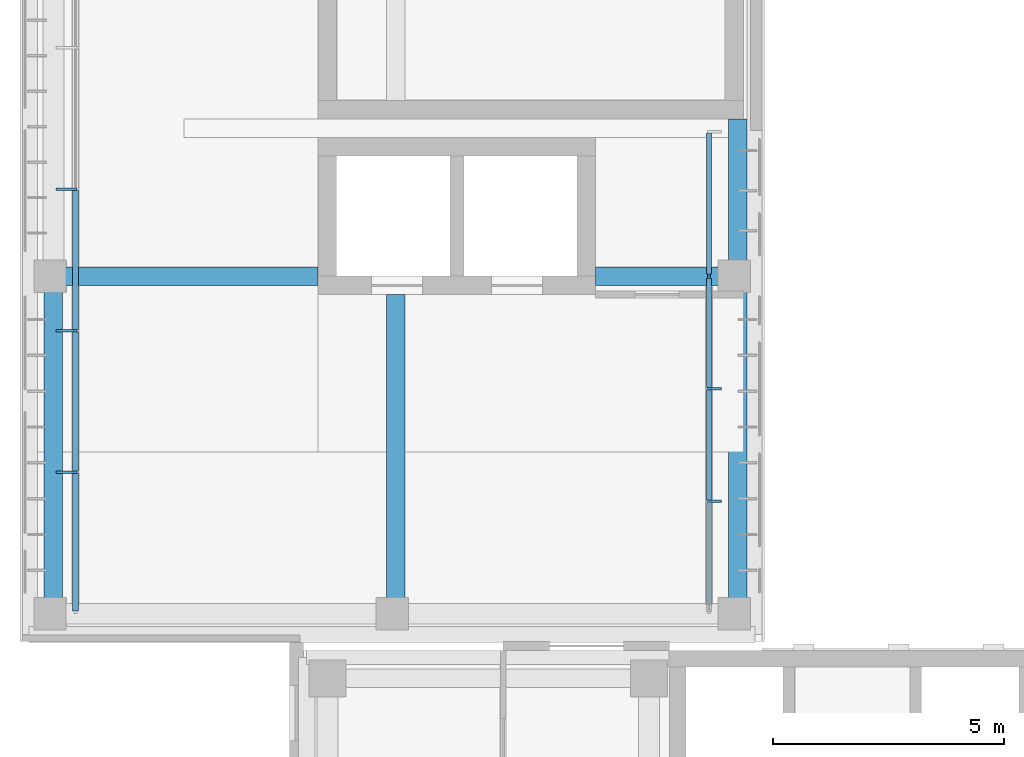
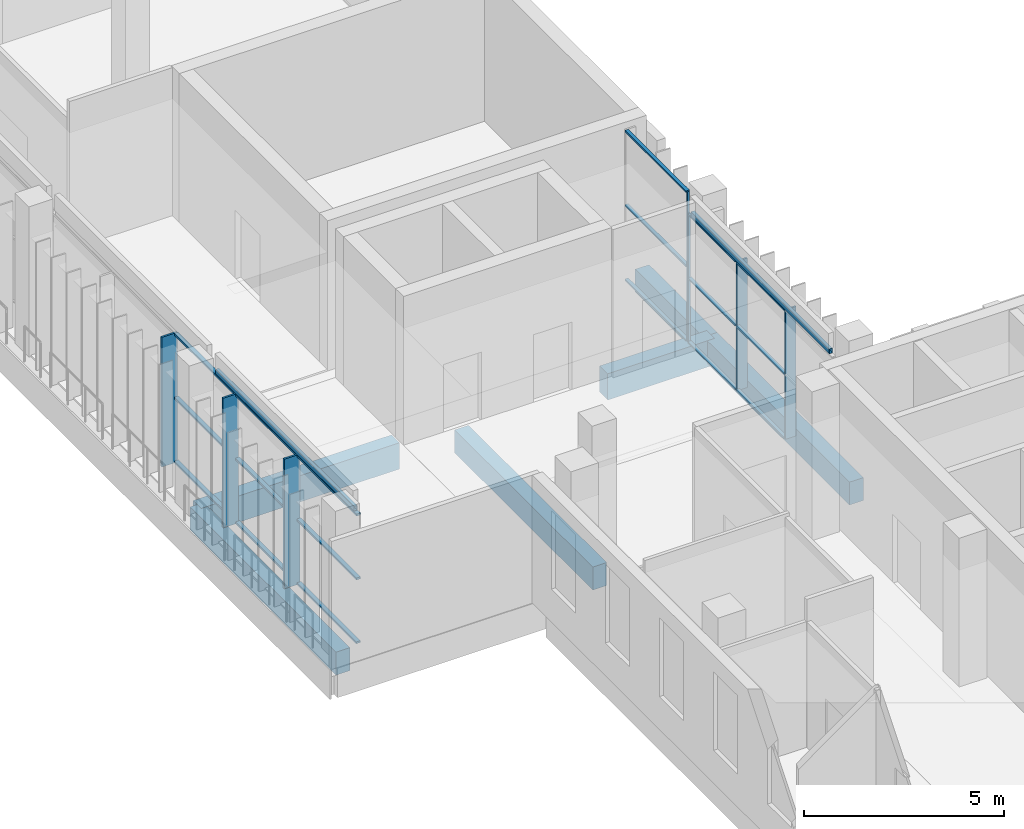
# One storey, part 4 of 46: 25 members, 8 beams, 3 elements without a shape of their own.
"""IFC4 building model written with IfcOpenShell, lengths in metres."""

import ifcopenshell
import ifcopenshell.guid

model = None  # the IFC model being written
_history = None  # IfcOwnerHistory: only IFC2X3 demands one
_inside = {}  # id of a spatial element -> (the spatial element, [elements in it])
_under = {}  # id of a project, library or spatial element -> (it, [spatial elements below it])
_declared = {}  # id of a project -> (the project, [libraries it declares])
_typed = {}  # id of a type object -> (the type object, [elements of that type])
_made_of = {}  # id of a material, layer set ... -> (it, [elements and type objects made of it])


def new_model(schema):
    """Start an empty IFC model of exactly this schema.

    Asked for "IFC4X3", IfcOpenShell would pick the latest addendum, in which some entities
    have other attributes; the version numbers below select the first issue.
    IFC2X3 requires an IfcOwnerHistory on every rooted entity: one is made here for all.
    """
    global model, _history
    if schema == "IFC4X3":
        model = ifcopenshell.file(schema_version=(4, 3, 0, 0))
    else:
        model = ifcopenshell.file(schema=schema)
    _inside.clear()
    _under.clear()
    _declared.clear()
    _typed.clear()
    _made_of.clear()
    _history = None
    if model.schema == "IFC2X3":
        org = make("IfcOrganization", Name="unknown")
        user = make(
            "IfcPersonAndOrganization",
            ThePerson=make("IfcPerson", FamilyName="unknown"),
            TheOrganization=org,
        )
        app = make(
            "IfcApplication",
            ApplicationDeveloper=org,
            Version="unknown",
            ApplicationFullName="unknown",
            ApplicationIdentifier="unknown",
        )
        _history = make(
            "IfcOwnerHistory",
            OwningUser=user,
            OwningApplication=app,
            ChangeAction="ADDED",
            CreationDate=0,
        )
    return model


def make(cls, **values):
    """One entity of the class cls with the attributes given. An attribute that is None is left unset."""
    return model.create_entity(
        cls, **{name: value for name, value in values.items() if value is not None}
    )


def rooted(cls, **values):
    """An entity with a GlobalId (a new one), such as an element, a storey or a relation."""
    return make(cls, GlobalId=ifcopenshell.guid.new(), OwnerHistory=_history, **values)


def si_unit(unit_type, name, prefix=None):
    """IfcSIUnit, for example si_unit("LENGTHUNIT", "METRE", prefix="MILLI")."""
    return make("IfcSIUnit", UnitType=unit_type, Prefix=prefix, Name=name)


def assignment(units):
    """IfcUnitAssignment: the units of a project."""
    return None if units is None else make("IfcUnitAssignment", Units=units)


def point(xyz):
    """IfcCartesianPoint."""
    return None if xyz is None else make("IfcCartesianPoint", Coordinates=xyz)


def direction(xyz):
    """IfcDirection."""
    return None if xyz is None else make("IfcDirection", DirectionRatios=xyz)


def frame(location, z_axis=None, x_axis=None):
    """IfcAxis2Placement3D, a coordinate frame: its origin and axes. An axis left out is left unset."""
    return make(
        "IfcAxis2Placement3D",
        Location=point(location),
        Axis=direction(z_axis),
        RefDirection=direction(x_axis),
    )


def frame_2d(location, x_axis=None):
    """IfcAxis2Placement2D, a coordinate frame in the plane: its origin and x axis."""
    return make(
        "IfcAxis2Placement2D", Location=point(location), RefDirection=direction(x_axis)
    )


def origin():
    """The frame at (0, 0, 0) with its axes left unset."""
    return frame((0.0, 0.0, 0.0))


def origin_2d():
    """The frame at (0, 0) in the plane with its x axis left unset."""
    return frame_2d((0.0, 0.0))


def place(relative_to, where):
    """IfcLocalPlacement: puts the frame where relative to a parent placement (None: the world)."""
    return make(
        "IfcLocalPlacement", PlacementRelTo=relative_to, RelativePlacement=where
    )


def context(
    kind, dimensions, precision=None, world=None, true_north=None, identifier=None
):
    """IfcGeometricRepresentationContext, for example the 3D "Model" context."""
    return make(
        "IfcGeometricRepresentationContext",
        ContextIdentifier=identifier,
        ContextType=kind,
        CoordinateSpaceDimension=dimensions,
        Precision=precision,
        WorldCoordinateSystem=world,
        TrueNorth=true_north,
    )


def subcontext(parent, identifier, kind, view, scale=None):
    """IfcGeometricRepresentationSubContext, for example "Body" below "Model"."""
    return make(
        "IfcGeometricRepresentationSubContext",
        ContextIdentifier=identifier,
        ContextType=kind,
        ParentContext=parent,
        TargetScale=scale,
        TargetView=view,
    )


def project(units=None, contexts=None):
    """IfcProject with its units and contexts."""
    return rooted(
        "IfcProject",
        Name="project",
        RepresentationContexts=contexts,
        UnitsInContext=assignment(units),
    )


def spatial(cls, under=None, at=None, **own):
    """A site, building, storey or space (cls), placed at a placement, below another one or the project."""
    s = rooted(cls, ObjectPlacement=at, **own)
    if under is not None:
        _under.setdefault(under.id(), (under, []))[1].append(s)
    return s


def profile(cls, at=None, kind="AREA", **sizes):
    """A parametric profile (cls). Its sizes go by their IFC names, for example OverallWidth=200.0."""
    return make(cls, ProfileType=kind, Position=at, **sizes)


def rectangle(**sizes):
    """IfcRectangleProfileDef."""
    return profile("IfcRectangleProfileDef", **sizes)


def hollow_rectangle(**sizes):
    """IfcRectangleHollowProfileDef."""
    return profile("IfcRectangleHollowProfileDef", **sizes)


def extrude(swept, where, along, depth):
    """IfcExtrudedAreaSolid: the profile swept, set in the frame where, extruded along a direction by depth."""
    return make(
        "IfcExtrudedAreaSolid",
        SweptArea=swept,
        Position=where,
        ExtrudedDirection=direction(along),
        Depth=depth,
    )


def shape(context_of_items, identifier, shape_type, items):
    """IfcShapeRepresentation: the items that make up one representation, for example the "Body"."""
    return make(
        "IfcShapeRepresentation",
        ContextOfItems=context_of_items,
        RepresentationIdentifier=identifier,
        RepresentationType=shape_type,
        Items=items,
    )


def material(Name=None, Category=None):
    """IfcMaterial."""
    return make("IfcMaterial", Name=Name, Category=Category)


def material_profile(
    of_material, cross_section, Name=None, Category=None, Priority=None
):
    """IfcMaterialProfile: a cross section and its material."""
    return make(
        "IfcMaterialProfile",
        Name=Name,
        Material=of_material,
        Profile=cross_section,
        Priority=Priority,
        Category=Category,
    )


def profile_set(profiles, Name=None, composite=None):
    """IfcMaterialProfileSet."""
    return make(
        "IfcMaterialProfileSet",
        Name=Name,
        MaterialProfiles=profiles,
        CompositeProfile=composite,
    )


def made_of(thing, what):
    """Note that an element or type object is made of a material, layer set ...; save() writes the relation."""
    if what is not None:
        _made_of.setdefault(what.id(), (what, []))[1].append(thing)
    return thing


def type_object(cls, material=None, **own):
    """A type object (cls), such as IfcWallType, which elements share."""
    return made_of(rooted(cls, **own), material)


def element(
    cls,
    number,
    at=None,
    inside=None,
    cuts=None,
    type_object=None,
    material=None,
    context=None,
    identifier="Body",
    shape_type=None,
    held_by="IfcProductDefinitionShape",
    body=None,
    shapes=None,
    **own,
):
    """One element of the class cls, such as IfcWall. Its Tag is "e" and its number.

    at: its placement. inside: the storey or other place that contains it. cuts: it is an
    opening in that element (IfcRelVoidsElement). A single representation is given by context,
    identifier, shape_type and body (its items); several are given by shapes. held_by: the class
    of the entity that holds the representations. save() writes the other relations.
    """
    e = rooted(cls, Tag="e%d" % number, ObjectPlacement=at, **own)
    if body is not None:
        shapes = [shape(context, identifier, shape_type, body)]
    if shapes is not None:
        e.Representation = make(held_by, Representations=shapes)
    if inside is not None:
        _inside.setdefault(inside.id(), (inside, []))[1].append(e)
    if cuts is not None:
        rooted(
            "IfcRelVoidsElement", RelatingBuildingElement=cuts, RelatedOpeningElement=e
        )
    if type_object is not None:
        _typed.setdefault(type_object.id(), (type_object, []))[1].append(e)
    return made_of(e, material)


def aggregate(whole, parts):
    """IfcRelAggregates: a whole, such as a stair, and the parts it consists of."""
    return rooted("IfcRelAggregates", RelatingObject=whole, RelatedObjects=parts)


def save(model, path):
    """Write the relations noted so far, then the file.

    IfcRelAggregates (storeys below a building ...), IfcRelContainedInSpatialStructure (elements
    in a storey), IfcRelDefinesByType, IfcRelAssociatesMaterial and IfcRelDeclares: one each for
    every whole, place, type object, material and project.
    """
    for whole, parts in _under.values():
        aggregate(whole, parts)
    for where, things in _inside.values():
        rooted(
            "IfcRelContainedInSpatialStructure",
            RelatedElements=things,
            RelatingStructure=where,
        )
    for kind, things in _typed.values():
        rooted("IfcRelDefinesByType", RelatedObjects=things, RelatingType=kind)
    for what, things in _made_of.values():
        rooted("IfcRelAssociatesMaterial", RelatedObjects=things, RelatingMaterial=what)
    for by, libraries in _declared.values():
        rooted("IfcRelDeclares", RelatingContext=by, RelatedDefinitions=libraries)
    model.write(path)


model = new_model("IFC4")

# Units and contexts
model_context = context("Model", 3, precision=1e-05, world=origin(), true_north=direction((0.0, 1.0)))
body_context = subcontext(model_context, "Body", "Model", "MODEL_VIEW")
ifc_project = project(units=[si_unit("LENGTHUNIT", "METRE"), si_unit("AREAUNIT", "SQUARE_METRE"), si_unit("VOLUMEUNIT", "CUBIC_METRE"), si_unit("PLANEANGLEUNIT", "RADIAN"), si_unit("MASSUNIT", "GRAM", prefix="KILO")], contexts=[model_context])

# Site, building, storey
site_placement = place(None, origin())
site = spatial("IfcSite", under=ifc_project, at=site_placement, CompositionType="ELEMENT")
building_placement = place(site_placement, origin())
building = spatial("IfcBuilding", under=site, at=building_placement, Name="Lantern Court Media Centre", CompositionType="ELEMENT")
storey_placement = place(building_placement, frame((0.0, 0.0, 28.800048828125)))
storey = spatial("IfcBuildingStorey", under=building, at=storey_placement, Name="L06", CompositionType="ELEMENT", Elevation=28.800048828125)

# Curtain wall, members
ifc_material_1 = material(Name="Curtain wall bay 2400")
curtain_wall_type_1 = type_object("IfcCurtainWallType", Name="Curtain wall bay 2400", PredefinedType="NOTDEFINED", material=ifc_material_1)
curtain_wall_1_placement = place(storey_placement, origin())
curtain_wall_1 = element("IfcCurtainWall", 1, at=curtain_wall_1_placement, inside=storey, type_object=curtain_wall_type_1, Name="Curtain wall W inner L06", PredefinedType="NOTDEFINED")
ifc_material_2 = material(Name="Anodised aluminium", Category="aluminium")
ifc_material_profile_1 = material_profile(ifc_material_2, rectangle(XDim=0.300048828125, YDim=0.050048828125, at=origin_2d()), Name="AL 50x300")
ifc_profile_set_1 = profile_set([ifc_material_profile_1], Name="Anodised aluminium")
member_type_1 = type_object("IfcMemberType", Name="Curtain wall mullion 50x300", PredefinedType="MULLION", material=ifc_profile_set_1)
member_1_placement = place(storey_placement, frame((16.969970703125, 67.13330078125, 0.0), z_axis=(0.0, 0.0, 1.0), x_axis=(-1.0, 0.0, 0.0)))
member_1 = element("IfcMember", 2, at=member_1_placement, type_object=member_type_1, Name="CW2 mullion 2", PredefinedType="MULLION", context=body_context, shape_type="SweptSolid", body=[
    extrude(rectangle(XDim=0.300048828125, YDim=0.050048828125, at=origin_2d()), origin(), (0.0, 0.0, 1.0), 3.949951171875),
])
member_2_placement = place(storey_placement, frame((16.969970703125, 69.566650390625, 0.0), z_axis=(0.0, 0.0, 1.0), x_axis=(-1.0, 0.0, 0.0)))
member_2 = element("IfcMember", 3, at=member_2_placement, type_object=member_type_1, Name="CW2 mullion 3", PredefinedType="MULLION", context=body_context, shape_type="SweptSolid", body=[
    extrude(rectangle(XDim=0.300048828125, YDim=0.050048828125, at=origin_2d()), origin(), (0.0, 0.0, 1.0), 3.949951171875),
])
ifc_material_profile_2 = material_profile(ifc_material_2, rectangle(XDim=0.06005859375, YDim=0.050048828125, at=origin_2d()), Name="AL 50x60")
ifc_profile_set_2 = profile_set([ifc_material_profile_2], Name="Anodised aluminium")
member_type_2 = type_object("IfcMemberType", Name="Curtain wall mullion 50x60", PredefinedType="MULLION", material=ifc_profile_set_2)
member_3_placement = place(storey_placement, frame((16.85009765625, 71.97509765625, 0.0), z_axis=(0.0, 0.0, 1.0), x_axis=(-1.0, 0.0, 0.0)))
member_3 = element("IfcMember", 4, at=member_3_placement, type_object=member_type_2, Name="CW2 mullion 4", PredefinedType="MULLION", context=body_context, shape_type="SweptSolid", body=[
    extrude(rectangle(XDim=0.06005859375, YDim=0.050048828125, at=origin_2d()), origin(), (0.0, 0.0, 1.0), 3.949951171875),
])

# Curtain wall, member
curtain_wall_2_placement = place(storey_placement, origin())
curtain_wall_2 = element("IfcCurtainWall", 5, at=curtain_wall_2_placement, inside=storey, type_object=curtain_wall_type_1, Name="Curtain wall W inner L06", PredefinedType="NOTDEFINED")
member_4_placement = place(storey_placement, frame((16.85009765625, 72.02490234375, 0.0), z_axis=(0.0, 0.0, 1.0), x_axis=(-1.0, 0.0, 0.0)))
member_4 = element("IfcMember", 6, at=member_4_placement, type_object=member_type_2, Name="CW2 mullion 1", PredefinedType="MULLION", context=body_context, shape_type="SweptSolid", body=[
    extrude(rectangle(XDim=0.06005859375, YDim=0.050048828125, at=origin_2d()), origin(), (0.0, 0.0, 1.0), 4.579833984375),
])

# Curtain wall, members
ifc_material_3 = material(Name="Curtain wall bay 3000")
curtain_wall_type_2 = type_object("IfcCurtainWallType", Name="Curtain wall bay 3000", PredefinedType="NOTDEFINED", material=ifc_material_3)
curtain_wall_3_placement = place(storey_placement, origin())
curtain_wall_3 = element("IfcCurtainWall", 7, at=curtain_wall_3_placement, inside=storey, type_object=curtain_wall_type_2, Name="Curtain wall W outer L06", PredefinedType="NOTDEFINED")
ifc_material_profile_3 = material_profile(ifc_material_2, rectangle(XDim=0.449951171875, YDim=0.06005859375, at=origin_2d()), Name="AL 60x450")
ifc_profile_set_3 = profile_set([ifc_material_profile_3], Name="Anodised aluminium")
member_type_3 = type_object("IfcMemberType", Name="Curtain wall mullion 60x450", PredefinedType="MULLION", material=ifc_profile_set_3)
member_5_placement = place(storey_placement, frame((2.955078125, 67.760009765625, 0.0), z_axis=(0.0, 0.0, 1.0), x_axis=(-1.0, 0.0, 0.0)))
member_5 = element("IfcMember", 8, at=member_5_placement, type_object=member_type_3, Name="CW1 mullion 2", PredefinedType="MULLION", context=body_context, shape_type="SweptSolid", body=[
    extrude(rectangle(XDim=0.449951171875, YDim=0.06005859375, at=origin_2d()), origin(), (0.0, 0.0, 1.0), 3.949951171875),
])
member_6_placement = place(storey_placement, frame((2.955078125, 70.820068359375, 0.0), z_axis=(0.0, 0.0, 1.0), x_axis=(-1.0, 0.0, 0.0)))
member_6 = element("IfcMember", 9, at=member_6_placement, type_object=member_type_3, Name="CW1 mullion 3", PredefinedType="MULLION", context=body_context, shape_type="SweptSolid", body=[
    extrude(rectangle(XDim=0.449951171875, YDim=0.06005859375, at=origin_2d()), origin(), (0.0, 0.0, 1.0), 3.949951171875),
])
member_7_placement = place(storey_placement, frame((2.955078125, 73.8798828125, 0.0), z_axis=(0.0, 0.0, 1.0), x_axis=(-1.0, 0.0, 0.0)))
member_7 = element("IfcMember", 10, at=member_7_placement, type_object=member_type_3, Name="CW1 mullion 4", PredefinedType="MULLION", context=body_context, shape_type="SweptSolid", body=[
    extrude(rectangle(XDim=0.449951171875, YDim=0.06005859375, at=origin_2d()), origin(), (0.0, 0.0, 1.0), 3.949951171875),
])

# Member
ifc_material_profile_4 = material_profile(ifc_material_2, rectangle(XDim=0.10009765625, YDim=0.050048828125, at=origin_2d()), Name="AL 50x100")
ifc_profile_set_4 = profile_set([ifc_material_profile_4], Name="Anodised aluminium")
member_type_4 = type_object("IfcMemberType", Name="Curtain wall transom 100x50", PredefinedType="USERDEFINED", material=ifc_profile_set_4)
member_8_placement = place(storey_placement, frame((16.85009765625, 67.158447265625, 0.02490234375), z_axis=(0.0, 1.0, 0.0), x_axis=(-1.0, 0.0, 0.0)))
member_8 = element("IfcMember", 11, at=member_8_placement, type_object=member_type_4, Name="CW2 transom 2.1", ObjectType="TRANSOM", PredefinedType="USERDEFINED", context=body_context, shape_type="SweptSolid", body=[
    extrude(rectangle(XDim=0.10009765625, YDim=0.050048828125, at=origin_2d()), origin(), (0.0, 0.0, 1.0), 2.38330078125),
])

member_9_placement = place(storey_placement, frame((16.85009765625, 67.158447265625, 1.974853515625), z_axis=(0.0, 1.0, 0.0), x_axis=(-1.0, 0.0, 0.0)))
member_9 = element("IfcMember", 12, at=member_9_placement, type_object=member_type_4, Name="CW2 transom 2.2", ObjectType="TRANSOM", PredefinedType="USERDEFINED", context=body_context, shape_type="SweptSolid", body=[
    extrude(rectangle(XDim=0.10009765625, YDim=0.050048828125, at=origin_2d()), origin(), (0.0, 0.0, 1.0), 2.38330078125),
])

member_10_placement = place(storey_placement, frame((16.85009765625, 67.158447265625, 3.925048828125), z_axis=(0.0, 1.0, 0.0), x_axis=(-1.0, 0.0, 0.0)))
member_10 = element("IfcMember", 13, at=member_10_placement, type_object=member_type_4, Name="CW2 transom 2.3", ObjectType="TRANSOM", PredefinedType="USERDEFINED", context=body_context, shape_type="SweptSolid", body=[
    extrude(rectangle(XDim=0.10009765625, YDim=0.050048828125, at=origin_2d()), origin(), (0.0, 0.0, 1.0), 2.38330078125),
])

member_11_placement = place(storey_placement, frame((16.85009765625, 69.591552734375, 0.02490234375), z_axis=(0.0, 1.0, 0.0), x_axis=(-1.0, 0.0, 0.0)))
member_11 = element("IfcMember", 14, at=member_11_placement, type_object=member_type_4, Name="CW2 transom 3.1", ObjectType="TRANSOM", PredefinedType="USERDEFINED", context=body_context, shape_type="SweptSolid", body=[
    extrude(rectangle(XDim=0.10009765625, YDim=0.050048828125, at=origin_2d()), origin(), (0.0, 0.0, 1.0), 2.3583984375),
])

member_12_placement = place(storey_placement, frame((16.85009765625, 69.591552734375, 1.974853515625), z_axis=(0.0, 1.0, 0.0), x_axis=(-1.0, 0.0, 0.0)))
member_12 = element("IfcMember", 15, at=member_12_placement, type_object=member_type_4, Name="CW2 transom 3.2", ObjectType="TRANSOM", PredefinedType="USERDEFINED", context=body_context, shape_type="SweptSolid", body=[
    extrude(rectangle(XDim=0.10009765625, YDim=0.050048828125, at=origin_2d()), origin(), (0.0, 0.0, 1.0), 2.3583984375),
])

member_13_placement = place(storey_placement, frame((16.85009765625, 69.591552734375, 3.925048828125), z_axis=(0.0, 1.0, 0.0), x_axis=(-1.0, 0.0, 0.0)))
member_13 = element("IfcMember", 16, at=member_13_placement, type_object=member_type_4, Name="CW2 transom 3.3", ObjectType="TRANSOM", PredefinedType="USERDEFINED", context=body_context, shape_type="SweptSolid", body=[
    extrude(rectangle(XDim=0.10009765625, YDim=0.050048828125, at=origin_2d()), origin(), (0.0, 0.0, 1.0), 2.3583984375),
])

aggregate(curtain_wall_1, [member_1, member_2, member_3, member_8, member_9, member_10, member_11, member_12, member_13])

member_14_placement = place(storey_placement, frame((16.85009765625, 72.050048828125, 0.02490234375), z_axis=(0.0, 1.0, 0.0), x_axis=(-1.0, 0.0, 0.0)))
member_14 = element("IfcMember", 17, at=member_14_placement, type_object=member_type_4, Name="CW2 transom 1.1", ObjectType="TRANSOM", PredefinedType="USERDEFINED", context=body_context, shape_type="SweptSolid", body=[
    extrude(rectangle(XDim=0.10009765625, YDim=0.050048828125, at=origin_2d()), origin(), (0.0, 0.0, 1.0), 3.050048828125),
])

member_15_placement = place(storey_placement, frame((16.85009765625, 72.050048828125, 2.2900390625), z_axis=(0.0, 1.0, 0.0), x_axis=(-1.0, 0.0, 0.0)))
member_15 = element("IfcMember", 18, at=member_15_placement, type_object=member_type_4, Name="CW2 transom 1.2", ObjectType="TRANSOM", PredefinedType="USERDEFINED", context=body_context, shape_type="SweptSolid", body=[
    extrude(rectangle(XDim=0.10009765625, YDim=0.050048828125, at=origin_2d()), origin(), (0.0, 0.0, 1.0), 3.050048828125),
])

member_16_placement = place(storey_placement, frame((16.85009765625, 72.050048828125, 4.554931640625), z_axis=(0.0, 1.0, 0.0), x_axis=(-1.0, 0.0, 0.0)))
member_16 = element("IfcMember", 19, at=member_16_placement, type_object=member_type_4, Name="CW2 transom 1.3", ObjectType="TRANSOM", PredefinedType="USERDEFINED", context=body_context, shape_type="SweptSolid", body=[
    extrude(rectangle(XDim=0.10009765625, YDim=0.050048828125, at=origin_2d()), origin(), (0.0, 0.0, 1.0), 3.050048828125),
])

aggregate(curtain_wall_2, [member_4, member_14, member_15, member_16])

ifc_material_profile_5 = material_profile(ifc_material_2, rectangle(XDim=0.1201171875, YDim=0.06005859375, at=origin_2d()), Name="AL 60x120")
ifc_profile_set_5 = profile_set([ifc_material_profile_5], Name="Anodised aluminium")
member_type_5 = type_object("IfcMemberType", Name="Curtain wall transom 60x120", PredefinedType="USERDEFINED", material=ifc_profile_set_5)
member_17_placement = place(storey_placement, frame((3.14990234375, 64.760009765625, 0.030029296875), z_axis=(0.0, 1.0, 0.0), x_axis=(-1.0, 0.0, 0.0)))
member_17 = element("IfcMember", 20, at=member_17_placement, type_object=member_type_5, Name="CW1 transom 1.1", ObjectType="TRANSOM", PredefinedType="USERDEFINED", context=body_context, shape_type="SweptSolid", body=[
    extrude(rectangle(XDim=0.1201171875, YDim=0.06005859375, at=origin_2d()), origin(), (0.0, 0.0, 1.0), 2.969970703125),
])

member_18_placement = place(storey_placement, frame((3.14990234375, 64.760009765625, 1.974853515625), z_axis=(0.0, 1.0, 0.0), x_axis=(-1.0, 0.0, 0.0)))
member_18 = element("IfcMember", 21, at=member_18_placement, type_object=member_type_5, Name="CW1 transom 1.2", ObjectType="TRANSOM", PredefinedType="USERDEFINED", context=body_context, shape_type="SweptSolid", body=[
    extrude(rectangle(XDim=0.1201171875, YDim=0.06005859375, at=origin_2d()), origin(), (0.0, 0.0, 1.0), 2.969970703125),
])

member_19_placement = place(storey_placement, frame((3.14990234375, 64.760009765625, 3.919921875), z_axis=(0.0, 1.0, 0.0), x_axis=(-1.0, 0.0, 0.0)))
member_19 = element("IfcMember", 22, at=member_19_placement, type_object=member_type_5, Name="CW1 transom 1.3", ObjectType="TRANSOM", PredefinedType="USERDEFINED", context=body_context, shape_type="SweptSolid", body=[
    extrude(rectangle(XDim=0.1201171875, YDim=0.06005859375, at=origin_2d()), origin(), (0.0, 0.0, 1.0), 2.969970703125),
])

member_20_placement = place(storey_placement, frame((3.14990234375, 67.7900390625, 0.030029296875), z_axis=(0.0, 1.0, 0.0), x_axis=(-1.0, 0.0, 0.0)))
member_20 = element("IfcMember", 23, at=member_20_placement, type_object=member_type_5, Name="CW1 transom 2.1", ObjectType="TRANSOM", PredefinedType="USERDEFINED", context=body_context, shape_type="SweptSolid", body=[
    extrude(rectangle(XDim=0.1201171875, YDim=0.06005859375, at=origin_2d()), origin(), (0.0, 0.0, 1.0), 3.0),
])

member_21_placement = place(storey_placement, frame((3.14990234375, 67.7900390625, 1.974853515625), z_axis=(0.0, 1.0, 0.0), x_axis=(-1.0, 0.0, 0.0)))
member_21 = element("IfcMember", 24, at=member_21_placement, type_object=member_type_5, Name="CW1 transom 2.2", ObjectType="TRANSOM", PredefinedType="USERDEFINED", context=body_context, shape_type="SweptSolid", body=[
    extrude(rectangle(XDim=0.1201171875, YDim=0.06005859375, at=origin_2d()), origin(), (0.0, 0.0, 1.0), 3.0),
])

member_22_placement = place(storey_placement, frame((3.14990234375, 67.7900390625, 3.919921875), z_axis=(0.0, 1.0, 0.0), x_axis=(-1.0, 0.0, 0.0)))
member_22 = element("IfcMember", 25, at=member_22_placement, type_object=member_type_5, Name="CW1 transom 2.3", ObjectType="TRANSOM", PredefinedType="USERDEFINED", context=body_context, shape_type="SweptSolid", body=[
    extrude(rectangle(XDim=0.1201171875, YDim=0.06005859375, at=origin_2d()), origin(), (0.0, 0.0, 1.0), 3.0),
])

member_23_placement = place(storey_placement, frame((3.14990234375, 70.85009765625, 0.030029296875), z_axis=(0.0, 1.0, 0.0), x_axis=(-1.0, 0.0, 0.0)))
member_23 = element("IfcMember", 26, at=member_23_placement, type_object=member_type_5, Name="CW1 transom 3.1", ObjectType="TRANSOM", PredefinedType="USERDEFINED", context=body_context, shape_type="SweptSolid", body=[
    extrude(rectangle(XDim=0.1201171875, YDim=0.06005859375, at=origin_2d()), origin(), (0.0, 0.0, 1.0), 3.0),
])

member_24_placement = place(storey_placement, frame((3.14990234375, 70.85009765625, 1.974853515625), z_axis=(0.0, 1.0, 0.0), x_axis=(-1.0, 0.0, 0.0)))
member_24 = element("IfcMember", 27, at=member_24_placement, type_object=member_type_5, Name="CW1 transom 3.2", ObjectType="TRANSOM", PredefinedType="USERDEFINED", context=body_context, shape_type="SweptSolid", body=[
    extrude(rectangle(XDim=0.1201171875, YDim=0.06005859375, at=origin_2d()), origin(), (0.0, 0.0, 1.0), 3.0),
])

member_25_placement = place(storey_placement, frame((3.14990234375, 70.85009765625, 3.919921875), z_axis=(0.0, 1.0, 0.0), x_axis=(-1.0, 0.0, 0.0)))
member_25 = element("IfcMember", 28, at=member_25_placement, type_object=member_type_5, Name="CW1 transom 3.3", ObjectType="TRANSOM", PredefinedType="USERDEFINED", context=body_context, shape_type="SweptSolid", body=[
    extrude(rectangle(XDim=0.1201171875, YDim=0.06005859375, at=origin_2d()), origin(), (0.0, 0.0, 1.0), 3.0),
])

aggregate(curtain_wall_3, [member_5, member_6, member_7, member_17, member_18, member_19, member_20, member_21, member_22, member_23, member_24, member_25])

# Beams
ifc_material_4 = material(Name="Steel S355J2 (EN 10025-2)", Category="steel")
ifc_material_profile_6 = material_profile(ifc_material_4, hollow_rectangle(XDim=0.10009765625, YDim=0.14990234375, WallThickness=0.00634765625, InnerFilletRadius=0.00634765625, OuterFilletRadius=0.009521484375, at=origin_2d()), Name="Facade head lintel RHS 150x100x6.3")
ifc_profile_set_6 = profile_set([ifc_material_profile_6], Name="Steel S355J2 (EN 10025-2)")
beam_type_1 = type_object("IfcBeamType", Name="Facade head lintel RHS 150x100x6.3", PredefinedType="BEAM", material=ifc_profile_set_6)
for number, where, z_axis, x_axis, name in (
    (29, (3.14990234375, 64.89990234375, 4.02490234375), (0.0, 1.0, 0.0), (-1.0, 0.0, 0.0), "Facade head lintel W L06"),
    (30, (16.85009765625, 64.89990234375, 4.02490234375), (0.0, 1.0, 0.0), (-1.0, 0.0, 0.0), "Facade head lintel W L06"),
):
    element("IfcBeam", number, at=place(storey_placement, frame(where, z_axis=z_axis, x_axis=x_axis)), inside=storey, type_object=beam_type_1, Name=name, PredefinedType="BEAM", context=body_context, shape_type="SweptSolid", body=[
        extrude(hollow_rectangle(XDim=0.10009765625, YDim=0.14990234375, WallThickness=0.00634765625, InnerFilletRadius=0.00634765625, OuterFilletRadius=0.009521484375, at=origin_2d()), origin(), (0.0, 0.0, 1.0), 6.900146484375),
    ])
ifc_material_5 = material(Name="Concrete C35", Category="concrete")
ifc_material_profile_7 = material_profile(ifc_material_5, rectangle(XDim=0.39990234375, YDim=0.699951171875, at=origin_2d()), Name="RC 400x700")
ifc_profile_set_7 = profile_set([ifc_material_profile_7], Name="Concrete C35")
beam_type_2 = type_object("IfcBeamType", Name="RC BEAM 400x700", PredefinedType="BEAM", material=ifc_profile_set_7)
beam_1_placement = place(storey_placement, frame((2.6728515625, 64.699951171875, -0.35009765625), z_axis=(0.0, 1.0, 0.0), x_axis=(-1.0, 0.0, 0.0)))
element("IfcBeam", 31, at=beam_1_placement, inside=storey, type_object=beam_type_2, Name="LB-W-L06-0-0", PredefinedType="BEAM", context=body_context, shape_type="SweptSolid", body=[
    extrude(rectangle(XDim=0.39990234375, YDim=0.699951171875, at=origin_2d()), origin(), (0.0, 0.0, 1.0), 7.300048828125),
])
beam_2_placement = place(storey_placement, frame((10.072998046875, 64.699951171875, -0.35009765625), z_axis=(0.0, 1.0, 0.0), x_axis=(-1.0, 0.0, 0.0)))
element("IfcBeam", 32, at=beam_2_placement, inside=storey, type_object=beam_type_2, Name="LB-W-L06-1-0", PredefinedType="BEAM", context=body_context, shape_type="SweptSolid", body=[
    extrude(rectangle(XDim=0.39990234375, YDim=0.699951171875, at=origin_2d()), origin(), (0.0, 0.0, 1.0), 6.900146484375),
])
beam_3_placement = place(storey_placement, frame((17.472900390625, 64.699951171875, -0.35009765625), z_axis=(0.0, 1.0, 0.0), x_axis=(-1.0, 0.0, 0.0)))
element("IfcBeam", 33, at=beam_3_placement, inside=storey, type_object=beam_type_2, Name="LB-W-L06-2-0", PredefinedType="BEAM", context=body_context, shape_type="SweptSolid", body=[
    extrude(rectangle(XDim=0.39990234375, YDim=0.699951171875, at=origin_2d()), origin(), (0.0, 0.0, 1.0), 7.300048828125),
])
beam_4_placement = place(storey_placement, frame((17.472900390625, 72.0, -0.35009765625), z_axis=(0.0, 1.0, 0.0), x_axis=(-1.0, 0.0, 0.0)))
element("IfcBeam", 34, at=beam_4_placement, inside=storey, type_object=beam_type_2, Name="LB-W-L06-2-1", PredefinedType="BEAM", context=body_context, shape_type="SweptSolid", body=[
    extrude(rectangle(XDim=0.39990234375, YDim=0.699951171875, at=origin_2d()), origin(), (0.0, 0.0, 1.0), 3.39990234375),
])
ifc_material_profile_8 = material_profile(ifc_material_5, rectangle(XDim=0.39990234375, YDim=0.800048828125, at=origin_2d()), Name="RC 400x800")
ifc_profile_set_8 = profile_set([ifc_material_profile_8], Name="Concrete C35")
beam_type_3 = type_object("IfcBeamType", Name="RC BEAM 400x800", PredefinedType="BEAM", material=ifc_profile_set_8)
beam_5_placement = place(storey_placement, frame((2.683349609375, 72.0, -0.400146484375), z_axis=(1.0, 0.0, 0.0), x_axis=(0.0, 1.0, 0.0)))
element("IfcBeam", 35, at=beam_5_placement, inside=storey, type_object=beam_type_3, Name="TB-W-L06-1-1", PredefinedType="BEAM", context=body_context, shape_type="SweptSolid", body=[
    extrude(rectangle(XDim=0.39990234375, YDim=0.800048828125, at=origin_2d()), origin(), (0.0, 0.0, 1.0), 5.716552734375),
])
beam_6_placement = place(storey_placement, frame((14.39990234375, 72.0, -0.400146484375), z_axis=(1.0, 0.0, 0.0), x_axis=(0.0, 1.0, 0.0)))
element("IfcBeam", 36, at=beam_6_placement, inside=storey, type_object=beam_type_3, Name="TB-W-L06-1-11", PredefinedType="BEAM", context=body_context, shape_type="SweptSolid", body=[
    extrude(rectangle(XDim=0.39990234375, YDim=0.800048828125, at=origin_2d()), origin(), (0.0, 0.0, 1.0), 3.08349609375),
])

save(model, "model.ifc")
